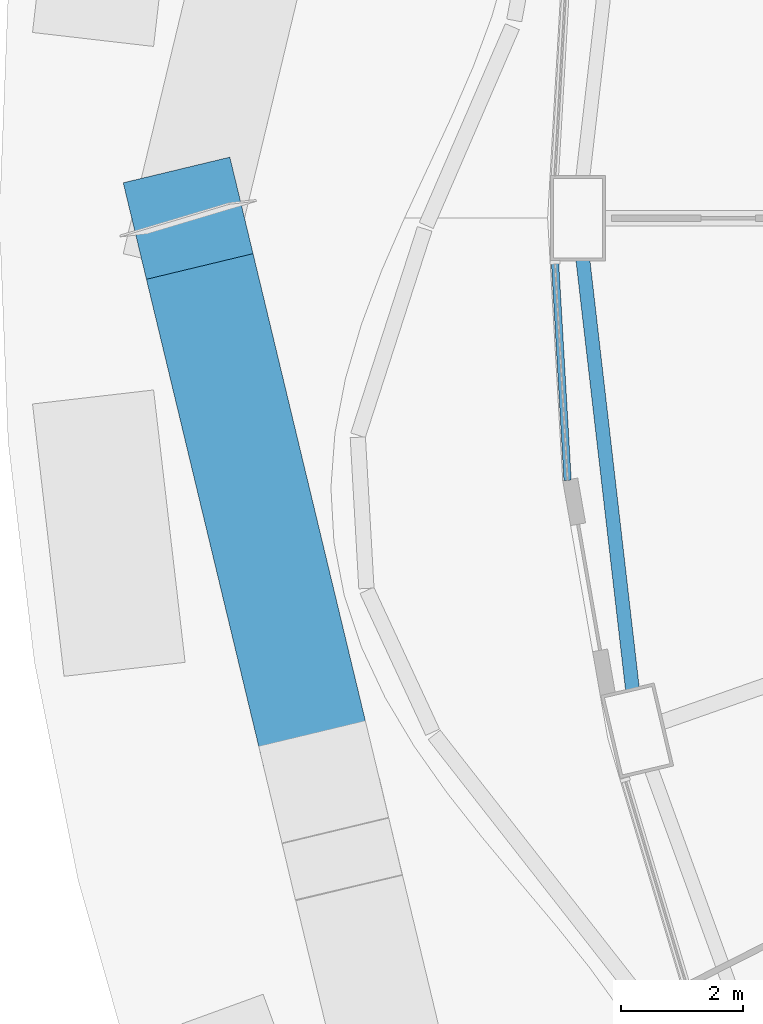
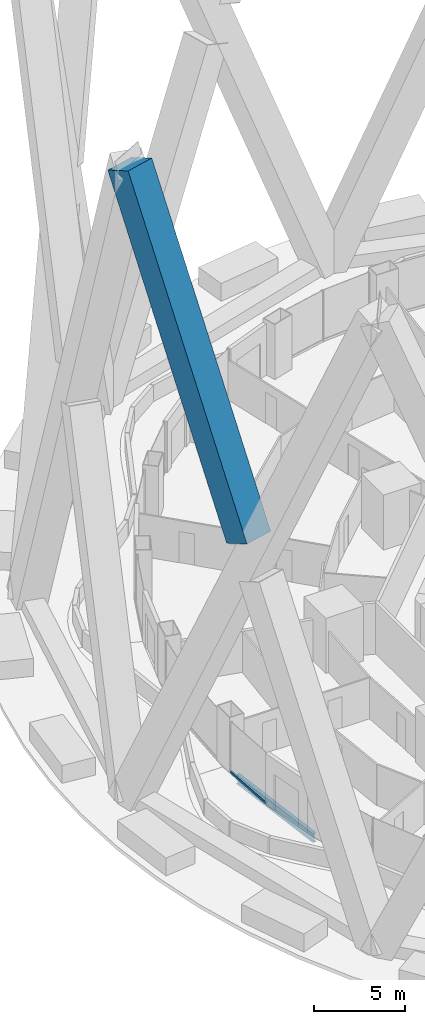
# One storey, part 16 of 42: 2 members, 1 beam, 1 element without a shape of its own.
"""IFC4 building model written with IfcOpenShell, lengths in metres."""

import ifcopenshell
import ifcopenshell.guid

model = None  # the IFC model being written
_history = None  # IfcOwnerHistory: only IFC2X3 demands one
_inside = {}  # id of a spatial element -> (the spatial element, [elements in it])
_under = {}  # id of a project, library or spatial element -> (it, [spatial elements below it])
_declared = {}  # id of a project -> (the project, [libraries it declares])
_typed = {}  # id of a type object -> (the type object, [elements of that type])
_made_of = {}  # id of a material, layer set ... -> (it, [elements and type objects made of it])


def new_model(schema):
    """Start an empty IFC model of exactly this schema.

    Asked for "IFC4X3", IfcOpenShell would pick the latest addendum, in which some entities
    have other attributes; the version numbers below select the first issue.
    IFC2X3 requires an IfcOwnerHistory on every rooted entity: one is made here for all.
    """
    global model, _history
    if schema == "IFC4X3":
        model = ifcopenshell.file(schema_version=(4, 3, 0, 0))
    else:
        model = ifcopenshell.file(schema=schema)
    _inside.clear()
    _under.clear()
    _declared.clear()
    _typed.clear()
    _made_of.clear()
    _history = None
    if model.schema == "IFC2X3":
        org = make("IfcOrganization", Name="unknown")
        user = make(
            "IfcPersonAndOrganization",
            ThePerson=make("IfcPerson", FamilyName="unknown"),
            TheOrganization=org,
        )
        app = make(
            "IfcApplication",
            ApplicationDeveloper=org,
            Version="unknown",
            ApplicationFullName="unknown",
            ApplicationIdentifier="unknown",
        )
        _history = make(
            "IfcOwnerHistory",
            OwningUser=user,
            OwningApplication=app,
            ChangeAction="ADDED",
            CreationDate=0,
        )
    return model


def make(cls, **values):
    """One entity of the class cls with the attributes given. An attribute that is None is left unset."""
    return model.create_entity(
        cls, **{name: value for name, value in values.items() if value is not None}
    )


def rooted(cls, **values):
    """An entity with a GlobalId (a new one), such as an element, a storey or a relation."""
    return make(cls, GlobalId=ifcopenshell.guid.new(), OwnerHistory=_history, **values)


def si_unit(unit_type, name, prefix=None):
    """IfcSIUnit, for example si_unit("LENGTHUNIT", "METRE", prefix="MILLI")."""
    return make("IfcSIUnit", UnitType=unit_type, Prefix=prefix, Name=name)


def assignment(units):
    """IfcUnitAssignment: the units of a project."""
    return None if units is None else make("IfcUnitAssignment", Units=units)


def point(xyz):
    """IfcCartesianPoint."""
    return None if xyz is None else make("IfcCartesianPoint", Coordinates=xyz)


def direction(xyz):
    """IfcDirection."""
    return None if xyz is None else make("IfcDirection", DirectionRatios=xyz)


def frame(location, z_axis=None, x_axis=None):
    """IfcAxis2Placement3D, a coordinate frame: its origin and axes. An axis left out is left unset."""
    return make(
        "IfcAxis2Placement3D",
        Location=point(location),
        Axis=direction(z_axis),
        RefDirection=direction(x_axis),
    )


def frame_2d(location, x_axis=None):
    """IfcAxis2Placement2D, a coordinate frame in the plane: its origin and x axis."""
    return make(
        "IfcAxis2Placement2D", Location=point(location), RefDirection=direction(x_axis)
    )


def origin():
    """The frame at (0, 0, 0) with its axes left unset."""
    return frame((0.0, 0.0, 0.0))


def origin_2d():
    """The frame at (0, 0) in the plane with its x axis left unset."""
    return frame_2d((0.0, 0.0))


def place(relative_to, where):
    """IfcLocalPlacement: puts the frame where relative to a parent placement (None: the world)."""
    return make(
        "IfcLocalPlacement", PlacementRelTo=relative_to, RelativePlacement=where
    )


def context(
    kind, dimensions, precision=None, world=None, true_north=None, identifier=None
):
    """IfcGeometricRepresentationContext, for example the 3D "Model" context."""
    return make(
        "IfcGeometricRepresentationContext",
        ContextIdentifier=identifier,
        ContextType=kind,
        CoordinateSpaceDimension=dimensions,
        Precision=precision,
        WorldCoordinateSystem=world,
        TrueNorth=true_north,
    )


def subcontext(parent, identifier, kind, view, scale=None):
    """IfcGeometricRepresentationSubContext, for example "Body" below "Model"."""
    return make(
        "IfcGeometricRepresentationSubContext",
        ContextIdentifier=identifier,
        ContextType=kind,
        ParentContext=parent,
        TargetScale=scale,
        TargetView=view,
    )


def project(units=None, contexts=None):
    """IfcProject with its units and contexts."""
    return rooted(
        "IfcProject",
        Name="project",
        RepresentationContexts=contexts,
        UnitsInContext=assignment(units),
    )


def spatial(cls, under=None, at=None, **own):
    """A site, building, storey or space (cls), placed at a placement, below another one or the project."""
    s = rooted(cls, ObjectPlacement=at, **own)
    if under is not None:
        _under.setdefault(under.id(), (under, []))[1].append(s)
    return s


def profile(cls, at=None, kind="AREA", **sizes):
    """A parametric profile (cls). Its sizes go by their IFC names, for example OverallWidth=200.0."""
    return make(cls, ProfileType=kind, Position=at, **sizes)


def rectangle(**sizes):
    """IfcRectangleProfileDef."""
    return profile("IfcRectangleProfileDef", **sizes)


def i_section(**sizes):
    """IfcIShapeProfileDef."""
    return profile("IfcIShapeProfileDef", **sizes)


def extrude(swept, where, along, depth):
    """IfcExtrudedAreaSolid: the profile swept, set in the frame where, extruded along a direction by depth."""
    return make(
        "IfcExtrudedAreaSolid",
        SweptArea=swept,
        Position=where,
        ExtrudedDirection=direction(along),
        Depth=depth,
    )


def shape(context_of_items, identifier, shape_type, items):
    """IfcShapeRepresentation: the items that make up one representation, for example the "Body"."""
    return make(
        "IfcShapeRepresentation",
        ContextOfItems=context_of_items,
        RepresentationIdentifier=identifier,
        RepresentationType=shape_type,
        Items=items,
    )


def material(Name=None, Category=None):
    """IfcMaterial."""
    return make("IfcMaterial", Name=Name, Category=Category)


def layer(
    of_material, thickness, ventilated=None, Name=None, Category=None, Priority=None
):
    """IfcMaterialLayer: one layer of a wall or slab, of a material (None: an air gap)."""
    return make(
        "IfcMaterialLayer",
        Material=of_material,
        LayerThickness=thickness,
        IsVentilated=ventilated,
        Name=Name,
        Category=Category,
        Priority=Priority,
    )


def layer_set(layers, Name=None):
    """IfcMaterialLayerSet."""
    return make("IfcMaterialLayerSet", MaterialLayers=layers, LayerSetName=Name)


def material_profile(
    of_material, cross_section, Name=None, Category=None, Priority=None
):
    """IfcMaterialProfile: a cross section and its material."""
    return make(
        "IfcMaterialProfile",
        Name=Name,
        Material=of_material,
        Profile=cross_section,
        Priority=Priority,
        Category=Category,
    )


def profile_set(profiles, Name=None, composite=None):
    """IfcMaterialProfileSet."""
    return make(
        "IfcMaterialProfileSet",
        Name=Name,
        MaterialProfiles=profiles,
        CompositeProfile=composite,
    )


def made_of(thing, what):
    """Note that an element or type object is made of a material, layer set ...; save() writes the relation."""
    if what is not None:
        _made_of.setdefault(what.id(), (what, []))[1].append(thing)
    return thing


def type_object(cls, material=None, **own):
    """A type object (cls), such as IfcWallType, which elements share."""
    return made_of(rooted(cls, **own), material)


def element(
    cls,
    number,
    at=None,
    inside=None,
    cuts=None,
    type_object=None,
    material=None,
    context=None,
    identifier="Body",
    shape_type=None,
    held_by="IfcProductDefinitionShape",
    body=None,
    shapes=None,
    **own,
):
    """One element of the class cls, such as IfcWall. Its Tag is "e" and its number.

    at: its placement. inside: the storey or other place that contains it. cuts: it is an
    opening in that element (IfcRelVoidsElement). A single representation is given by context,
    identifier, shape_type and body (its items); several are given by shapes. held_by: the class
    of the entity that holds the representations. save() writes the other relations.
    """
    e = rooted(cls, Tag="e%d" % number, ObjectPlacement=at, **own)
    if body is not None:
        shapes = [shape(context, identifier, shape_type, body)]
    if shapes is not None:
        e.Representation = make(held_by, Representations=shapes)
    if inside is not None:
        _inside.setdefault(inside.id(), (inside, []))[1].append(e)
    if cuts is not None:
        rooted(
            "IfcRelVoidsElement", RelatingBuildingElement=cuts, RelatedOpeningElement=e
        )
    if type_object is not None:
        _typed.setdefault(type_object.id(), (type_object, []))[1].append(e)
    return made_of(e, material)


def aggregate(whole, parts):
    """IfcRelAggregates: a whole, such as a stair, and the parts it consists of."""
    return rooted("IfcRelAggregates", RelatingObject=whole, RelatedObjects=parts)


def save(model, path):
    """Write the relations noted so far, then the file.

    IfcRelAggregates (storeys below a building ...), IfcRelContainedInSpatialStructure (elements
    in a storey), IfcRelDefinesByType, IfcRelAssociatesMaterial and IfcRelDeclares: one each for
    every whole, place, type object, material and project.
    """
    for whole, parts in _under.values():
        aggregate(whole, parts)
    for where, things in _inside.values():
        rooted(
            "IfcRelContainedInSpatialStructure",
            RelatedElements=things,
            RelatingStructure=where,
        )
    for kind, things in _typed.values():
        rooted("IfcRelDefinesByType", RelatedObjects=things, RelatingType=kind)
    for what, things in _made_of.values():
        rooted("IfcRelAssociatesMaterial", RelatedObjects=things, RelatingMaterial=what)
    for by, libraries in _declared.values():
        rooted("IfcRelDeclares", RelatingContext=by, RelatedDefinitions=libraries)
    model.write(path)


model = new_model("IFC4")

# Units and contexts
model_context = context("Model", 3, precision=1e-05, world=origin(), true_north=direction((0.0, 1.0)))
body_context = subcontext(model_context, "Body", "Model", "MODEL_VIEW")
ifc_project = project(units=[si_unit("LENGTHUNIT", "METRE"), si_unit("AREAUNIT", "SQUARE_METRE"), si_unit("VOLUMEUNIT", "CUBIC_METRE"), si_unit("PLANEANGLEUNIT", "RADIAN"), si_unit("MASSUNIT", "GRAM", prefix="KILO")], contexts=[model_context])

# Site, building, storey
site_placement = place(None, origin())
site = spatial("IfcSite", under=ifc_project, at=site_placement, CompositionType="ELEMENT")
building_placement = place(site_placement, origin())
building = spatial("IfcBuilding", under=site, at=building_placement, Name="Nagisa Residences", CompositionType="ELEMENT")
storey_placement = place(building_placement, frame((0.0, 0.0, 27.0)))
storey = spatial("IfcBuildingStorey", under=building, at=storey_placement, Name="L05", CompositionType="ELEMENT", Elevation=27.0)

# Curtain wall, member
ifc_material_1 = material(Name="Concrete-coloured aluminium curtain wall system", Category="concrete")
ifc_layer = layer(ifc_material_1, 0.159912109375)
ifc_layer_set = layer_set([ifc_layer], Name="CW1 CURTAIN WALL")
curtain_wall_type = type_object("IfcCurtainWallType", Name="CW1 CURTAIN WALL", PredefinedType="NOTDEFINED", material=ifc_layer_set)
curtain_wall_placement = place(storey_placement, origin())
curtain_wall = element("IfcCurtainWall", 1, at=curtain_wall_placement, inside=storey, type_object=curtain_wall_type, Name="cw:CW1:L05:24", PredefinedType="NOTDEFINED")
ifc_material_2 = material(Name="Concrete-coloured aluminium", Category="concrete")
ifc_material_profile_1 = material_profile(ifc_material_2, rectangle(XDim=0.1201171875, YDim=0.14990234375, at=origin_2d()), Name="CW1 TRANSOM 120x150")
ifc_profile_set_1 = profile_set([ifc_material_profile_1], Name="Concrete-coloured aluminium")
member_type_1 = type_object("IfcMemberType", Name="CW1 TRANSOM 120x150", PredefinedType="USERDEFINED", material=ifc_profile_set_1)
member_1_placement = place(storey_placement, frame((-25.27978515625, -0.6943359375, 0.074951171875), z_axis=(0.057482603412, -0.998346508135, 0.0), x_axis=(0.998346508135, 0.057482603412, 0.0)))
member_1 = element("IfcMember", 2, at=member_1_placement, type_object=member_type_1, Name="CW1 transom", ObjectType="TRANSOM", PredefinedType="USERDEFINED", context=body_context, shape_type="SweptSolid", body=[
    extrude(rectangle(XDim=0.1201171875, YDim=0.14990234375, at=origin_2d()), origin(), (0.0, 0.0, 1.0), 3.6142578125),
])
aggregate(curtain_wall, [member_1])

# Member
ifc_material_3 = material(Name="Concrete C80", Category="concrete")
ifc_material_profile_2 = material_profile(ifc_material_3, rectangle(XDim=1.800048828125, YDim=1.800048828125, at=origin_2d()), Name="C80 1800x1800")
ifc_profile_set_2 = profile_set([ifc_material_profile_2], Name="Concrete C80")
member_type_2 = type_object("IfcMemberType", Name="Cage diagonal 1 C80 1800x1800", PredefinedType="BRACE", material=ifc_profile_set_2)
member_2_placement = place(storey_placement, frame((-29.076416015625, -9.25, 22.340576171875), z_axis=(-0.099349024281, 0.413277978915, 0.905169091119), x_axis=(-0.972300580352, -0.233733997198, 0.0)))
element("IfcMember", 3, at=member_2_placement, inside=storey, type_object=member_type_2, Name="mem:L05:cg1d114b", PredefinedType="BRACE", context=body_context, shape_type="SweptSolid", body=[
    extrude(rectangle(XDim=1.800048828125, YDim=1.800048828125, at=origin_2d()), origin(), (0.0, 0.0, 1.0), 22.382080078125),
])

# Beam
ifc_material_4 = material(Name="Steel ASTM A572 Gr 50", Category="steel")
ifc_material_profile_3 = material_profile(ifc_material_4, i_section(OverallWidth=0.22802734375, OverallDepth=0.60302734375, WebThickness=0.010498046875, FlangeThickness=0.014892578125, at=origin_2d()), Name="W610x101")
ifc_profile_set_3 = profile_set([ifc_material_profile_3], Name="Steel ASTM A572 Gr 50")
beam_type = type_object("IfcBeamType", Name="Perimeter ring beam W610x101", PredefinedType="BEAM", material=ifc_profile_set_3)
beam_placement = place(storey_placement, frame((-24.821533203125, -0.68017578125, -0.5615234375), z_axis=(0.114707660057, -0.993399291687, 0.0), x_axis=(0.993399291687, 0.114707660057, 0.0)))
element("IfcBeam", 4, at=beam_placement, inside=storey, type_object=beam_type, Name="beam:L05:pb13", PredefinedType="BEAM", context=body_context, shape_type="SweptSolid", body=[
    extrude(i_section(OverallWidth=0.22802734375, OverallDepth=0.60302734375, WebThickness=0.010498046875, FlangeThickness=0.014892578125, at=origin_2d()), origin(), (0.0, 0.0, 1.0), 7.09814453125),
])

save(model, "model.ifc")
